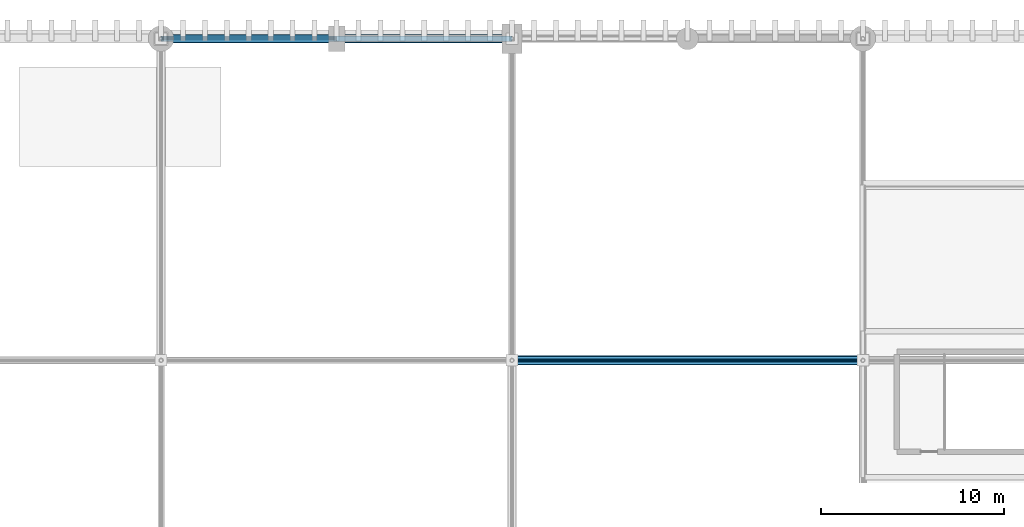
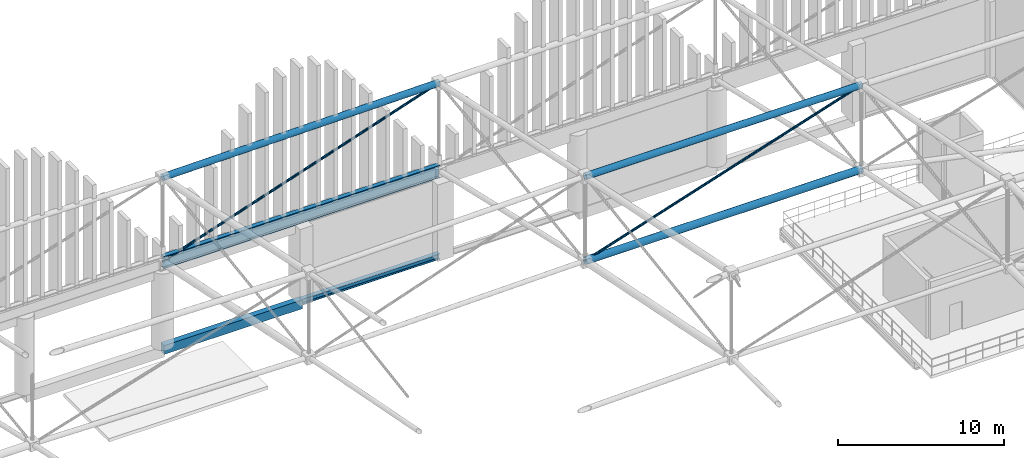
# One storey, part 130 of 193: 5 members, 3 beams.
"""IFC4 building model written with IfcOpenShell, lengths in metres."""

from ifc_helpers import new_model, si_unit, direction, frame, origin, origin_2d, place, context, subcontext, project, spatial, rectangle, hollow_circle, i_section, extrude, material, material_profile, profile_set, type_object, element, save


model = new_model("IFC4")

# Units and contexts
model_context = context("Model", 3, precision=1e-05, world=origin(), true_north=direction((0.0, 1.0)))
body_context = subcontext(model_context, "Body", "Model", "MODEL_VIEW")
ifc_project = project(units=[si_unit("LENGTHUNIT", "METRE"), si_unit("AREAUNIT", "SQUARE_METRE"), si_unit("VOLUMEUNIT", "CUBIC_METRE"), si_unit("PLANEANGLEUNIT", "RADIAN"), si_unit("MASSUNIT", "GRAM", prefix="KILO")], contexts=[model_context])

# Site, building, storey
site_placement = place(None, origin())
site = spatial("IfcSite", under=ifc_project, at=site_placement, CompositionType="ELEMENT")
building_placement = place(site_placement, origin())
building = spatial("IfcBuilding", under=site, at=building_placement, Name="Danafjord Basin Convention Centre", CompositionType="ELEMENT")
storey_placement = place(building_placement, frame((0.0, 0.0, 11.39990234375)))
storey = spatial("IfcBuildingStorey", under=building, at=storey_placement, Name="L02", CompositionType="ELEMENT", Elevation=11.39990234375)

# Beams
ifc_material_1 = material(Name="Steel S355", Category="steel")
ifc_material_profile_1 = material_profile(ifc_material_1, i_section(OverallWidth=0.300048828125, OverallDepth=0.89990234375, WebThickness=0.0185546875, FlangeThickness=0.034912109375, FilletRadius=0.030029296875, at=origin_2d()), Name="HEB 900")
ifc_profile_set_1 = profile_set([ifc_material_profile_1], Name="Steel S355")
beam_type_1 = type_object("IfcBeamType", Name="BEAM-BM-HEB900", PredefinedType="BEAM", material=ifc_profile_set_1)
beam_1_placement = place(storey_placement, frame((57.60009765625, 144.0, 6.050048828125), z_axis=(1.0, 0.0, 0.0), x_axis=(0.0, 1.0, 0.0)))
element("IfcBeam", 1, at=beam_1_placement, inside=storey, type_object=beam_type_1, Name="V1 space-frame perimeter ring girder", PredefinedType="BEAM", context=body_context, shape_type="SweptSolid", body=[
    extrude(i_section(OverallWidth=0.300048828125, OverallDepth=0.89990234375, WebThickness=0.0185546875, FlangeThickness=0.034912109375, FilletRadius=0.030029296875, at=origin_2d()), origin(), (0.0, 0.0, 1.0), 19.199951171875),
])
ifc_material_profile_2 = material_profile(ifc_material_1, i_section(OverallWidth=0.300048828125, OverallDepth=0.39990234375, WebThickness=0.013427734375, FlangeThickness=0.02392578125, FilletRadius=0.027099609375, at=origin_2d()), Name="HEB 400")
ifc_profile_set_2 = profile_set([ifc_material_profile_2], Name="Steel S355")
beam_type_2 = type_object("IfcBeamType", Name="BEAM-SP-HEB400", PredefinedType="SPANDREL", material=ifc_profile_set_2)
beam_2_placement = place(storey_placement, frame((67.199951171875, 144.0, -0.199951171875), z_axis=(1.0, 0.0, 0.0), x_axis=(0.0, 1.0, 0.0)))
element("IfcBeam", 2, at=beam_2_placement, inside=storey, type_object=beam_type_2, Name="L02 girder SP-HEB400", PredefinedType="SPANDREL", context=body_context, shape_type="SweptSolid", body=[
    extrude(i_section(OverallWidth=0.300048828125, OverallDepth=0.39990234375, WebThickness=0.013427734375, FlangeThickness=0.02392578125, FilletRadius=0.027099609375, at=origin_2d()), origin(), (0.0, 0.0, 1.0), 9.60009765625),
])
ifc_material_2 = material(Name="Precast concrete C45/55", Category="concrete")
ifc_material_profile_3 = material_profile(ifc_material_2, rectangle(XDim=0.39990234375, YDim=0.64990234375, at=origin_2d()), Name="PCB 400x650")
ifc_profile_set_3 = profile_set([ifc_material_profile_3], Name="Precast concrete C45/55")
beam_type_3 = type_object("IfcBeamType", Name="BEAM-SP-PCB650", PredefinedType="SPANDREL", material=ifc_profile_set_3)
beam_3_placement = place(storey_placement, frame((57.60009765625, 144.0, -0.324951171875), z_axis=(1.0, 0.0, 0.0), x_axis=(0.0, 1.0, 0.0)))
element("IfcBeam", 3, at=beam_3_placement, inside=storey, type_object=beam_type_3, Name="L02 girder SP-PCB650", PredefinedType="SPANDREL", context=body_context, shape_type="SweptSolid", body=[
    extrude(rectangle(XDim=0.39990234375, YDim=0.64990234375, at=origin_2d()), origin(), (0.0, 0.0, 1.0), 9.599853515625),
])

# Members
ifc_material_profile_4 = material_profile(ifc_material_1, hollow_circle(Radius=0.228515625, WallThickness=0.02001953125, at=origin_2d()), Name="CHS 457.0x20.0")
ifc_profile_set_4 = profile_set([ifc_material_profile_4], Name="Steel S355")
member_type_1 = type_object("IfcMemberType", Name="MEM-CH-CHS457", PredefinedType="CHORD", material=ifc_profile_set_4)
member_1_placement = place(storey_placement, frame((57.60009765625, 144.0, 12.25), z_axis=(0.999931282566, 0.0, 0.011723060444), x_axis=(0.0, 1.0, 0.0)))
element("IfcMember", 4, at=member_1_placement, inside=storey, type_object=member_type_1, Name="V1 roof truss longitudinal top chord", PredefinedType="CHORD", context=body_context, shape_type="SweptSolid", body=[
    extrude(hollow_circle(Radius=0.228515625, WallThickness=0.02001953125, at=origin_2d()), origin(), (0.0, 0.0, 1.0), 19.201171875),
])
member_2_placement = place(storey_placement, frame((76.800048828125, 126.39990234375, 16.27099609375), z_axis=(1.0, 0.0, 0.0), x_axis=(0.0, 1.0, 0.0)))
element("IfcMember", 5, at=member_2_placement, inside=storey, type_object=member_type_1, Name="V1 roof truss longitudinal top chord", PredefinedType="CHORD", context=body_context, shape_type="SweptSolid", body=[
    extrude(hollow_circle(Radius=0.228515625, WallThickness=0.02001953125, at=origin_2d()), origin(), (0.0, 0.0, 1.0), 19.199951171875),
])
ifc_material_profile_5 = material_profile(ifc_material_1, hollow_circle(Radius=0.25390625, WallThickness=0.02490234375, at=origin_2d()), Name="CHS 508.0x25.0")
ifc_profile_set_5 = profile_set([ifc_material_profile_5], Name="Steel S355")
member_type_2 = type_object("IfcMemberType", Name="MEM-CH-CHS508", PredefinedType="CHORD", material=ifc_profile_set_5)
member_3_placement = place(storey_placement, frame((76.800048828125, 126.39990234375, 10.07080078125), z_axis=(1.0, 0.0, 0.0), x_axis=(0.0, 1.0, 0.0)))
element("IfcMember", 6, at=member_3_placement, inside=storey, type_object=member_type_2, Name="V1 roof truss longitudinal bottom chord", PredefinedType="CHORD", context=body_context, shape_type="SweptSolid", body=[
    extrude(hollow_circle(Radius=0.25390625, WallThickness=0.02490234375, at=origin_2d()), origin(), (0.0, 0.0, 1.0), 19.199951171875),
])
ifc_material_profile_6 = material_profile(ifc_material_1, hollow_circle(Radius=0.084228515625, WallThickness=0.008056640625, at=origin_2d()), Name="CHS 168.3x8.0")
ifc_profile_set_6 = profile_set([ifc_material_profile_6], Name="Steel S355")
member_type_3 = type_object("IfcMemberType", Name="MEM-WB-CHS168", PredefinedType="MEMBER", material=ifc_profile_set_6)
member_4_placement = place(storey_placement, frame((57.60009765625, 144.0, 6.050048828125), z_axis=(0.948311244058, 0.0, 0.317341747007), x_axis=(0.0, 1.0, 0.0)))
element("IfcMember", 7, at=member_4_placement, inside=storey, type_object=member_type_3, Name="V1 space-frame longitudinal web", PredefinedType="MEMBER", context=body_context, shape_type="SweptSolid", body=[
    extrude(hollow_circle(Radius=0.084228515625, WallThickness=0.008056640625, at=origin_2d()), origin(), (0.0, 0.0, 1.0), 20.24658203125),
])
member_5_placement = place(storey_placement, frame((76.800048828125, 126.39990234375, 10.07080078125), z_axis=(0.951612086859, 0.0, 0.307301864856), x_axis=(0.0, 1.0, 0.0)))
element("IfcMember", 8, at=member_5_placement, inside=storey, type_object=member_type_3, Name="V1 space-frame longitudinal web", PredefinedType="MEMBER", context=body_context, shape_type="SweptSolid", body=[
    extrude(hollow_circle(Radius=0.084228515625, WallThickness=0.008056640625, at=origin_2d()), origin(), (0.0, 0.0, 1.0), 20.17626953125),
])

save(model, "model.ifc")
